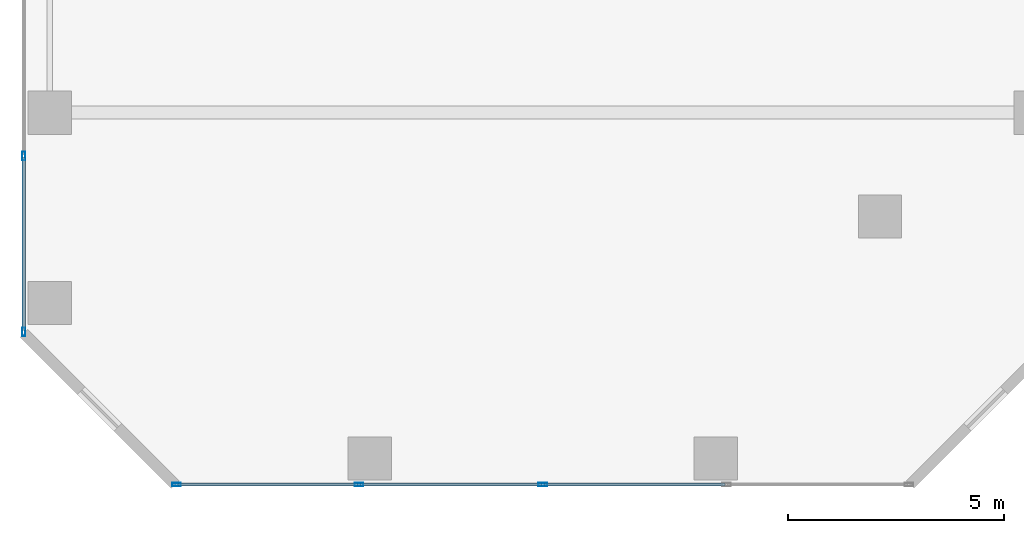
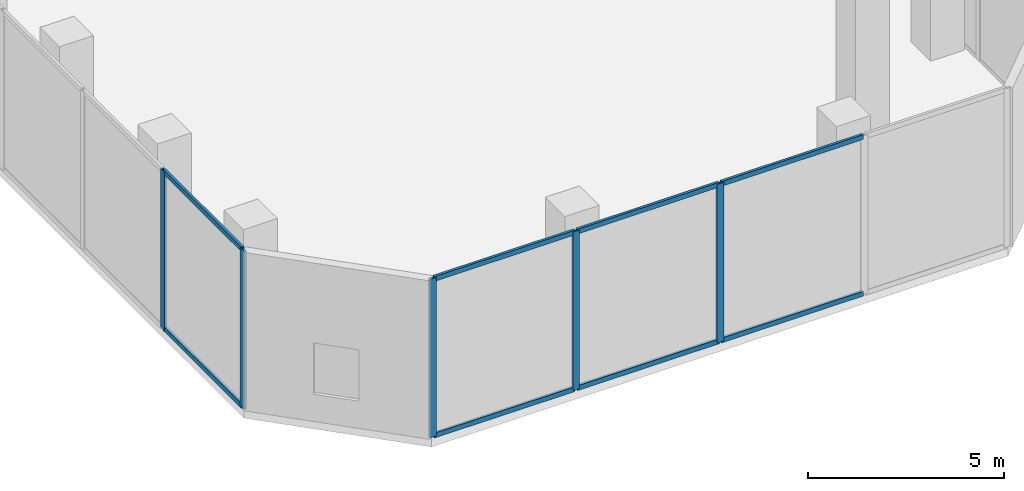
# One storey, part 2 of 24: 13 members, 2 elements without a shape of their own.
"""IFC4 building model written with IfcOpenShell, lengths in metres."""

from ifc_helpers import new_model, si_unit, direction, frame, origin, origin_2d, place, context, subcontext, project, spatial, hollow_rectangle, extrude, material, layer, layer_set, material_profile, profile_set, type_object, element, aggregate, save


model = new_model("IFC4")

# Units and contexts
model_context = context("Model", 3, precision=1e-05, world=origin(), true_north=direction((0.0, 1.0)))
body_context = subcontext(model_context, "Body", "Model", "MODEL_VIEW")
ifc_project = project(units=[si_unit("LENGTHUNIT", "METRE"), si_unit("AREAUNIT", "SQUARE_METRE"), si_unit("VOLUMEUNIT", "CUBIC_METRE"), si_unit("PLANEANGLEUNIT", "RADIAN"), si_unit("MASSUNIT", "GRAM", prefix="KILO")], contexts=[model_context])

# Site, building, storey
site_placement = place(None, origin())
site = spatial("IfcSite", under=ifc_project, at=site_placement, CompositionType="ELEMENT")
building_placement = place(site_placement, origin())
building = spatial("IfcBuilding", under=site, at=building_placement, Name="Catumbela Crestline Tower", CompositionType="ELEMENT")
storey_placement = place(building_placement, frame((0.0, 0.0, 15.9)))
storey = spatial("IfcBuildingStorey", under=building, at=storey_placement, Name="L03", CompositionType="ELEMENT", Elevation=15.9)

# Curtain wall, members
ifc_material = material(Name="Aluminium alloy AW-6060-T66", Category="aluminium")
ifc_layer = layer(ifc_material, 0.18, Name="Aluminium alloy AW-6060-T66")
ifc_layer_set = layer_set([ifc_layer], Name="Aluminium alloy AW-6060-T66")
curtain_wall_type = type_object("IfcCurtainWallType", Name="CWS-POD", PredefinedType="USERDEFINED", material=ifc_layer_set)
curtain_wall_1_placement = place(storey_placement, origin())
curtain_wall_1 = element("IfcCurtainWall", 1, at=curtain_wall_1_placement, inside=storey, type_object=curtain_wall_type, Name="L03 Stick Curtain Wall CW-L03-E0S1", ObjectType="STICK", PredefinedType="USERDEFINED")
ifc_material_profile_1 = material_profile(ifc_material, hollow_rectangle(XDim=0.075, YDim=0.2, WallThickness=0.005, at=origin_2d()), Name="ALU 200x75x5")
ifc_profile_set_1 = profile_set([ifc_material_profile_1], Name="Aluminium alloy AW-6060-T66")
member_type_1 = type_object("IfcMemberType", Name="MUL-200X75", PredefinedType="MULLION", material=ifc_profile_set_1)
member_1_placement = place(storey_placement, frame((3.5325, 0.0, 0.0), z_axis=(0.0, 0.0, 1.0), x_axis=(0.0, 1.0, 0.0)))
member_1 = element("IfcMember", 2, at=member_1_placement, type_object=member_type_1, Name="CWS-POD mullion 1", PredefinedType="MULLION", context=body_context, shape_type="SweptSolid", body=[
    extrude(hollow_rectangle(XDim=0.075, YDim=0.2, WallThickness=0.005, at=origin_2d()), origin(), (0.0, 0.0, 1.0), 4.94),
])
member_2_placement = place(storey_placement, frame((7.75, 0.0, 0.0), z_axis=(0.0, 0.0, 1.0), x_axis=(0.0, 1.0, 0.0)))
member_2 = element("IfcMember", 3, at=member_2_placement, type_object=member_type_1, Name="CWS-POD mullion 2", PredefinedType="MULLION", context=body_context, shape_type="SweptSolid", body=[
    extrude(hollow_rectangle(XDim=0.075, YDim=0.2, WallThickness=0.005, at=origin_2d()), origin(), (0.0, 0.0, 1.0), 4.94),
])
member_3_placement = place(storey_placement, frame((12.0, 0.0, 0.0), z_axis=(0.0, 0.0, 1.0), x_axis=(0.0, 1.0, 0.0)))
member_3 = element("IfcMember", 4, at=member_3_placement, type_object=member_type_1, Name="CWS-POD mullion 3", PredefinedType="MULLION", context=body_context, shape_type="SweptSolid", body=[
    extrude(hollow_rectangle(XDim=0.075, YDim=0.2, WallThickness=0.005, at=origin_2d()), origin(), (0.0, 0.0, 1.0), 4.94),
])

curtain_wall_2_placement = place(storey_placement, origin())
curtain_wall_2 = element("IfcCurtainWall", 5, at=curtain_wall_2_placement, inside=storey, type_object=curtain_wall_type, Name="L03 Stick Curtain Wall CW-L03-E9S1", ObjectType="STICK", PredefinedType="USERDEFINED")
member_4_placement = place(storey_placement, frame((0.0, 7.6, 0.0), z_axis=(0.0, 0.0, 1.0), x_axis=(1.0, 0.0, 0.0)))
member_4 = element("IfcMember", 6, at=member_4_placement, type_object=member_type_1, Name="CWS-POD mullion 10", PredefinedType="MULLION", context=body_context, shape_type="SweptSolid", body=[
    extrude(hollow_rectangle(XDim=0.075, YDim=0.2, WallThickness=0.005, at=origin_2d()), origin(), (0.0, 0.0, 1.0), 4.94),
])
member_5_placement = place(storey_placement, frame((0.0, 3.5325, 0.0), z_axis=(0.0, 0.0, 1.0), x_axis=(1.0, 0.0, 0.0)))
member_5 = element("IfcMember", 7, at=member_5_placement, type_object=member_type_1, Name="CWS-POD mullion 11", PredefinedType="MULLION", context=body_context, shape_type="SweptSolid", body=[
    extrude(hollow_rectangle(XDim=0.075, YDim=0.2, WallThickness=0.005, at=origin_2d()), origin(), (0.0, 0.0, 1.0), 4.94),
])

# Member
ifc_material_profile_2 = material_profile(ifc_material, hollow_rectangle(XDim=0.075, YDim=0.15, WallThickness=0.0045, at=origin_2d()), Name="ALU 150x75x4.5")
ifc_profile_set_2 = profile_set([ifc_material_profile_2], Name="Aluminium alloy AW-6060-T66")
member_type_2 = type_object("IfcMemberType", Name="TRN-150X75", PredefinedType="USERDEFINED", material=ifc_profile_set_2)
member_6_placement = place(storey_placement, frame((3.565, 0.0, 0.03), z_axis=(1.0, 0.0, 0.0), x_axis=(0.0, 1.0, 0.0)))
member_6 = element("IfcMember", 8, at=member_6_placement, type_object=member_type_2, Name="CWS-POD transom 1.1", ObjectType="TRANSOM", PredefinedType="USERDEFINED", context=body_context, shape_type="SweptSolid", body=[
    extrude(hollow_rectangle(XDim=0.075, YDim=0.15, WallThickness=0.0045, at=origin_2d()), origin(), (0.0, 0.0, 1.0), 4.1525),
])

member_7_placement = place(storey_placement, frame((3.565, 0.0, 4.91), z_axis=(1.0, 0.0, 0.0), x_axis=(0.0, 1.0, 0.0)))
member_7 = element("IfcMember", 9, at=member_7_placement, type_object=member_type_2, Name="CWS-POD transom 1.2", ObjectType="TRANSOM", PredefinedType="USERDEFINED", context=body_context, shape_type="SweptSolid", body=[
    extrude(hollow_rectangle(XDim=0.075, YDim=0.15, WallThickness=0.0045, at=origin_2d()), origin(), (0.0, 0.0, 1.0), 4.1525),
])

member_8_placement = place(storey_placement, frame((7.7825, 0.0, 0.03), z_axis=(1.0, 0.0, 0.0), x_axis=(0.0, 1.0, 0.0)))
member_8 = element("IfcMember", 10, at=member_8_placement, type_object=member_type_2, Name="CWS-POD transom 2.1", ObjectType="TRANSOM", PredefinedType="USERDEFINED", context=body_context, shape_type="SweptSolid", body=[
    extrude(hollow_rectangle(XDim=0.075, YDim=0.15, WallThickness=0.0045, at=origin_2d()), origin(), (0.0, 0.0, 1.0), 4.185),
])

member_9_placement = place(storey_placement, frame((7.7825, 0.0, 4.91), z_axis=(1.0, 0.0, 0.0), x_axis=(0.0, 1.0, 0.0)))
member_9 = element("IfcMember", 11, at=member_9_placement, type_object=member_type_2, Name="CWS-POD transom 2.2", ObjectType="TRANSOM", PredefinedType="USERDEFINED", context=body_context, shape_type="SweptSolid", body=[
    extrude(hollow_rectangle(XDim=0.075, YDim=0.15, WallThickness=0.0045, at=origin_2d()), origin(), (0.0, 0.0, 1.0), 4.185),
])

member_10_placement = place(storey_placement, frame((12.0325, 0.0, 0.03), z_axis=(1.0, 0.0, 0.0), x_axis=(0.0, 1.0, 0.0)))
member_10 = element("IfcMember", 12, at=member_10_placement, type_object=member_type_2, Name="CWS-POD transom 3.1", ObjectType="TRANSOM", PredefinedType="USERDEFINED", context=body_context, shape_type="SweptSolid", body=[
    extrude(hollow_rectangle(XDim=0.075, YDim=0.15, WallThickness=0.0045, at=origin_2d()), origin(), (0.0, 0.0, 1.0), 4.185),
])

member_11_placement = place(storey_placement, frame((12.0325, 0.0, 4.91), z_axis=(1.0, 0.0, 0.0), x_axis=(0.0, 1.0, 0.0)))
member_11 = element("IfcMember", 13, at=member_11_placement, type_object=member_type_2, Name="CWS-POD transom 3.2", ObjectType="TRANSOM", PredefinedType="USERDEFINED", context=body_context, shape_type="SweptSolid", body=[
    extrude(hollow_rectangle(XDim=0.075, YDim=0.15, WallThickness=0.0045, at=origin_2d()), origin(), (0.0, 0.0, 1.0), 4.185),
])

aggregate(curtain_wall_1, [member_1, member_2, member_3, member_6, member_7, member_8, member_9, member_10, member_11])

member_12_placement = place(storey_placement, frame((0.0, 7.5675, 0.03), z_axis=(0.0, -1.0, 0.0), x_axis=(1.0, 0.0, 0.0)))
member_12 = element("IfcMember", 14, at=member_12_placement, type_object=member_type_2, Name="CWS-POD transom 10.1", ObjectType="TRANSOM", PredefinedType="USERDEFINED", context=body_context, shape_type="SweptSolid", body=[
    extrude(hollow_rectangle(XDim=0.075, YDim=0.15, WallThickness=0.0045, at=origin_2d()), origin(), (0.0, 0.0, 1.0), 4.0025),
])

member_13_placement = place(storey_placement, frame((0.0, 7.5675, 4.91), z_axis=(0.0, -1.0, 0.0), x_axis=(1.0, 0.0, 0.0)))
member_13 = element("IfcMember", 15, at=member_13_placement, type_object=member_type_2, Name="CWS-POD transom 10.2", ObjectType="TRANSOM", PredefinedType="USERDEFINED", context=body_context, shape_type="SweptSolid", body=[
    extrude(hollow_rectangle(XDim=0.075, YDim=0.15, WallThickness=0.0045, at=origin_2d()), origin(), (0.0, 0.0, 1.0), 4.0025),
])

aggregate(curtain_wall_2, [member_4, member_5, member_12, member_13])

save(model, "model.ifc")
